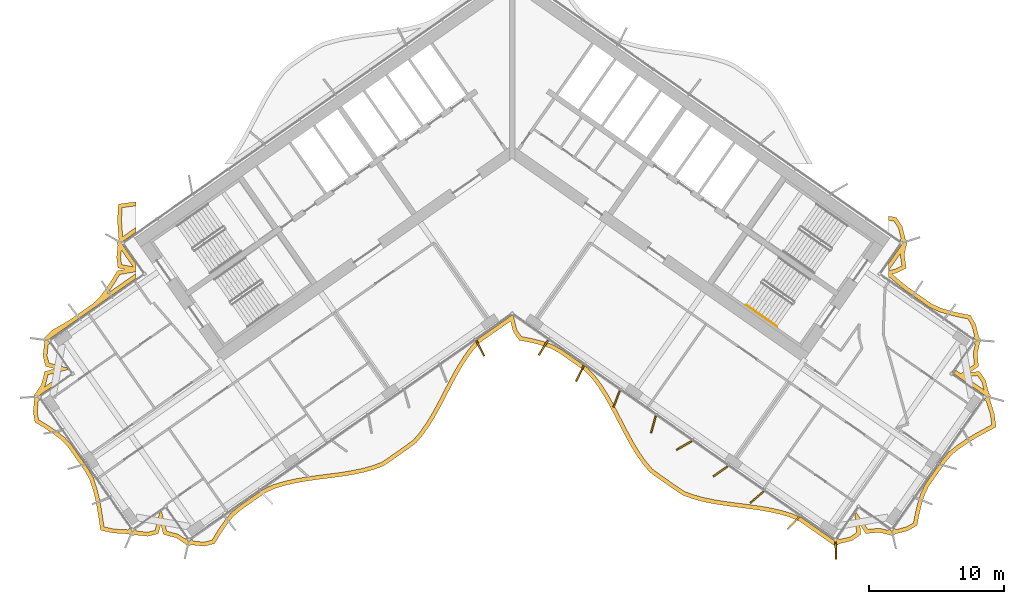
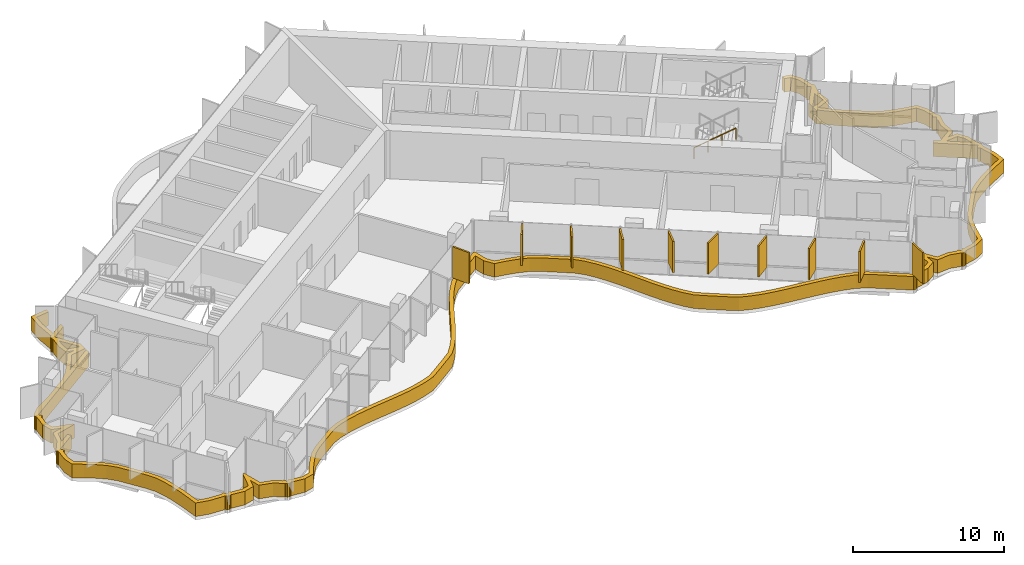
# One storey, part 19 of 21: 11 shading devices, 1 railing.
"""IFC4 building model written with IfcOpenShell, lengths in metres."""

from ifc_helpers import new_model, si_unit, direction, frame, origin, origin_2d, place, context, subcontext, project, spatial, polyline, rectangle, circle, outline, extrude, material, layer, layer_set, type_object, element, save


model = new_model("IFC4")

# Units and contexts
model_context = context("Model", 3, precision=1e-05, world=origin(), true_north=direction((0.0, 1.0)))
body_context = subcontext(model_context, "Body", "Model", "MODEL_VIEW")
ifc_project = project(units=[si_unit("LENGTHUNIT", "METRE"), si_unit("AREAUNIT", "SQUARE_METRE"), si_unit("VOLUMEUNIT", "CUBIC_METRE"), si_unit("PLANEANGLEUNIT", "RADIAN"), si_unit("MASSUNIT", "GRAM", prefix="KILO")], contexts=[model_context])

# Site, building, storey
site_placement = place(None, origin())
site = spatial("IfcSite", under=ifc_project, at=site_placement, CompositionType="ELEMENT")
building_placement = place(site_placement, origin())
building = spatial("IfcBuilding", under=site, at=building_placement, Name="Tel Ilan Convention Tower", CompositionType="ELEMENT")
storey_placement = place(building_placement, frame((0.0, 0.0, 206.10009765625)))
storey = spatial("IfcBuildingStorey", under=building, at=storey_placement, Name="L48", CompositionType="ELEMENT", Elevation=206.10009765625)

# Shading devices
ifc_material_1 = material(Name="Aluminium, bronze anodised", Category="aluminium")
ifc_layer_1 = layer(ifc_material_1, 0.1201171875)
ifc_layer_set_1 = layer_set([ifc_layer_1], Name="FIN BRONZE 1300x120")
shading_device_type_1 = type_object("IfcShadingDeviceType", Name="FIN BRONZE 1300x120", PredefinedType="USERDEFINED", material=ifc_layer_set_1)
for number, where, z_axis, x_axis, name in (
    (1, (-2.36572265625, -15.269775390625, 1.099853515625), (0.0, 0.0, 1.0), (0.448799180206, -0.893632640321, 0.0), "FIN"),
    (2, (2.31396484375, -15.23388671875, 1.099853515625), (0.0, 0.0, 1.0), (-0.533204432798, -0.845986425922, 0.0), "FIN"),
    (3, (5.027587890625, -17.1337890625, 1.099853515625), (0.0, 0.0, 1.0), (-0.448799180206, -0.893632640321, 0.0), "FIN"),
    (4, (7.744140625, -19.02783203125, 1.099853515625), (0.0, 0.0, 1.0), (-0.360177724803, -0.932883704733, 0.0), "FIN"),
    (5, (10.462646484375, -20.916259765625, 1.099853515625), (0.0, 0.0, 1.0), (-0.268172612768, -0.963370878614, 0.0), "FIN"),
    (6, (12.733154296875, -22.4833984375, 1.099853515625), (0.0, 0.0, 1.0), (-0.866025403784, -0.5, 0.0), "FIN"),
    (7, (15.432373046875, -24.39599609375, 1.099853515625), (0.0, 0.0, 1.0), (-0.813552070258, -0.581492071294, 0.0), "FIN"),
    (8, (18.13671875, -26.3046875, 1.099853515625), (0.0, 0.0, 1.0), (-0.753435896329, -0.657521368568, 0.0), "FIN"),
    (9, (20.845703125, -28.20947265625, 1.099853515625), (0.0, 0.0, 1.0), (-0.686241637865, -0.727373641577, 0.0), "FIN"),
    (10, (23.978759765625, -30.251708984375, 1.099853515625), (0.0, 0.0, 1.0), (0.029084718749, -0.999576950082, 0.0), "FIN"),
):
    element("IfcShadingDevice", number, at=place(storey_placement, frame(where, z_axis=z_axis, x_axis=x_axis)), inside=storey, type_object=shading_device_type_1, Name=name, ObjectType="FIN", PredefinedType="USERDEFINED", context=body_context, shape_type="SweptSolid", body=[
        extrude(rectangle(XDim=1.300048828125, YDim=0.1201171875, at=origin_2d()), origin(), (0.0, 0.0, 1.0), 2.52001953125),
    ])
ifc_material_2 = material(Name="Aluminium, bronze anodised", Category="aluminium")
ifc_layer_2 = layer(ifc_material_2, 0.300048828125)
ifc_layer_set_2 = layer_set([ifc_layer_2], Name="LOUVRE BAND 300x1100")
shading_device_type_2 = type_object("IfcShadingDeviceType", Name="LOUVRE BAND 300x1100", PredefinedType="USERDEFINED", material=ifc_layer_set_2)
shading_device_placement = place(storey_placement, origin())
element("IfcShadingDevice", 11, at=shading_device_placement, inside=storey, type_object=shading_device_type_2, Name="LOUVRE BAND 38.01", ObjectType="LOUVRE", PredefinedType="USERDEFINED", context=body_context, shape_type="SweptSolid", body=[
    extrude(outline(polyline([(-35.475341796875, -19.978515625), (-35.341064453125, -20.760498046875), (-34.66357421875, -21.162353515625), (-34.018310546875, -21.58642578125), (-33.419189453125, -22.043212890625), (-32.91015625, -22.562744140625), (-31.67529296875, -24.326416015625), (-31.311279296875, -24.947509765625), (-31.06982421875, -25.65478515625), (-30.877685546875, -26.396240234375), (-30.7255859375, -27.165771484375), (-30.602294921875, -27.95556640625), (-30.489501953125, -28.75244140625), (-29.54248046875, -28.965576171875), (-28.377685546875, -29.026123046875), (-28.3486328125, -29.0693359375), (-28.25146484375, -29.134521484375), (-28.13671875, -29.1572265625), (-28.021728515625, -29.134521484375), (-27.9677734375, -29.098388671875), (-26.975341796875, -29.2080078125), (-26.201416015625, -29.005615234375), (-26.022705078125, -28.324951171875), (-25.82763671875, -29.071533203125), (-24.87646484375, -29.3212890625), (-24.2041015625, -29.76611328125), (-24.199462890625, -29.7626953125), (-24.170654296875, -29.80615234375), (-24.0732421875, -29.87109375), (-23.95849609375, -29.89404296875), (-23.843505859375, -29.87109375), (-23.78955078125, -29.8349609375), (-22.79736328125, -29.94482421875), (-22.0234375, -29.742431640625), (-21.604248046875, -29.03369140625), (-21.15576171875, -28.366455078125), (-20.6708984375, -27.75146484375), (-20.100341796875, -27.2587890625), (-18.257568359375, -25.968505859375), (-17.560791015625, -25.65576171875), (-16.80419921875, -25.428955078125), (-16.01318359375, -25.2509765625), (-15.196044921875, -25.1103515625), (-14.362060546875, -24.994140625), (-12.68359375, -24.7763671875), (-11.859619140625, -24.645751953125), (-11.058837890625, -24.481689453125), (-10.2900390625, -24.272216796875), (-9.559814453125, -24.007568359375), (-8.935546875, -23.591796875), (-7.706787109375, -22.7314453125), (-7.102294921875, -22.287353515625), (-6.603515625, -21.692138671875), (-6.143798828125, -21.041259765625), (-5.7158203125, -20.344970703125), (-5.31103515625, -19.61572265625), (-4.5322265625, -18.11279296875), (-4.1376953125, -17.36865234375), (-3.726318359375, -16.64892578125), (-3.28857421875, -15.96630859375), (-2.81689453125, -15.332763671875), (-2.28515625, -14.784423828125), (-0.12109375, -13.269287109375), (0.067626953125, -14.029296875), (0.522216796875, -14.687255859375), (1.33154296875, -14.8388671875), (2.112060546875, -15.03173828125), (2.855712890625, -15.277099609375), (3.513916015625, -15.644775390625), (5.356689453125, -16.935302734375), (5.888671875, -17.48291015625), (6.36083984375, -18.1162109375), (6.798583984375, -18.798583984375), (7.2099609375, -19.5185546875), (7.6044921875, -20.262451171875), (8.38330078125, -21.765380859375), (8.7880859375, -22.494873046875), (9.2158203125, -23.191162109375), (9.675537109375, -23.84228515625), (10.174072265625, -24.437744140625), (10.778564453125, -24.882080078125), (12.007080078125, -25.742431640625), (12.631103515625, -26.15869140625), (13.361083984375, -26.423828125), (14.1298828125, -26.63330078125), (14.930419921875, -26.79736328125), (15.75439453125, -26.92822265625), (17.432861328125, -27.14599609375), (18.26708984375, -27.26220703125), (19.084228515625, -27.402587890625), (19.875244140625, -27.580322265625), (20.632080078125, -27.80712890625), (21.3291015625, -28.119140625), (23.786376953125, -29.83984375), (23.78955078125, -29.8349609375), (23.843505859375, -29.87109375), (23.95849609375, -29.89404296875), (24.0732421875, -29.87109375), (24.170654296875, -29.80615234375), (24.199462890625, -29.7626953125), (25.16943359375, -29.5263671875), (25.82763671875, -29.071533203125), (25.7626953125, -28.370849609375), (26.201416015625, -29.005615234375), (27.1806640625, -28.9150390625), (27.964599609375, -29.10302734375), (27.9677734375, -29.098388671875), (28.021728515625, -29.134521484375), (28.13671875, -29.1572265625), (28.25146484375, -29.134521484375), (28.3486328125, -29.0693359375), (28.377685546875, -29.026123046875), (29.301025390625, -28.79638671875), (29.989990234375, -28.40283203125), (30.135498046875, -27.628662109375), (30.3134765625, -26.877197265625), (30.537841796875, -26.158203125), (30.85205078125, -25.502197265625), (32.0869140625, -23.738525390625), (32.546142578125, -23.18408203125), (33.1279296875, -22.71533203125), (33.759033203125, -22.28125), (34.43017578125, -21.875), (35.13037109375, -21.489013671875), (35.840576171875, -21.1103515625), (35.717041015625, -20.147705078125), (35.375244140625, -19.032470703125), (35.411376953125, -18.978515625), (35.434326171875, -18.863525390625), (35.411376953125, -18.748779296875), (35.346435546875, -18.6513671875), (35.302978515625, -18.62255859375), (35.066650390625, -17.652587890625), (34.61181640625, -16.994384765625), (33.9111328125, -17.059326171875), (34.5458984375, -16.62060546875), (34.455322265625, -15.641357421875), (34.643310546875, -14.857421875), (34.638671875, -14.854248046875), (34.674560546875, -14.80029296875), (34.697509765625, -14.685546875), (34.674560546875, -14.570556640625), (34.609619140625, -14.473388671875), (34.56640625, -14.4443359375), (34.3369140625, -13.5224609375), (33.945068359375, -12.832763671875), (33.172119140625, -12.68701171875), (32.421630859375, -12.509521484375), (31.703369140625, -12.285888671875), (31.047119140625, -11.973388671875), (29.2861328125, -10.740234375), (28.730712890625, -10.28369140625), (28.18212890625, -9.817626953125), (28.123291015625, -9.789794921875), (28.491455078125, -9.6953125), (29.19384765625, -9.332763671875), (29.044921875, -8.373779296875), (29.20458984375, -7.631103515625), (29.199951171875, -7.6279296875), (29.236083984375, -7.57373046875), (29.2587890625, -7.458984375), (29.236083984375, -7.34423828125), (29.1708984375, -7.246826171875), (29.127685546875, -7.218017578125), (28.894287109375, -6.267333984375), (28.465576171875, -5.595458984375), (27.874755859375, -5.485595703125), (27.874755859375, -5.790771484375), (28.28271484375, -5.86669921875), (28.614990234375, -6.387451171875), (28.806640625, -7.1533203125), (28.713134765625, -7.286865234375), (28.958740234375, -7.458984375), (27.874755859375, -9.007080078125), (27.874755859375, -9.530029296875), (28.76171875, -8.263671875), (28.73974609375, -8.364990234375), (28.8642578125, -9.165283203125), (28.3837890625, -9.413330078125), (27.874755859375, -9.5439453125), (27.874755859375, -10.004150390625), (28.01806640625, -10.072021484375), (28.538330078125, -10.513916015625), (29.1044921875, -10.979248046875), (30.895751953125, -12.2333984375), (31.593505859375, -12.56591796875), (32.34228515625, -12.799072265625), (33.10986328125, -12.980712890625), (33.7529296875, -13.101806640625), (34.05615234375, -13.635498046875), (34.244873046875, -14.380126953125), (34.15185546875, -14.513427734375), (34.3974609375, -14.685546875), (34.22607421875, -14.931640625), (34.303955078125, -14.986083984375), (34.15185546875, -15.61962890625), (34.23095703125, -16.473388671875), (33.23095703125, -17.164794921875), (32.848876953125, -16.897216796875), (32.6767578125, -17.142822265625), (35.13427734375, -18.863525390625), (34.962158203125, -19.109375), (35.123046875, -19.221923828125), (35.422607421875, -20.210693359375), (35.5166015625, -20.943115234375), (34.280029296875, -21.615234375), (33.59619140625, -22.029052734375), (32.94873046875, -22.474609375), (32.33447265625, -22.96923828125), (31.84814453125, -23.556640625), (30.59228515625, -25.350341796875), (30.258056640625, -26.04833984375), (30.024169921875, -26.7978515625), (29.842041015625, -27.56640625), (29.720703125, -28.211181640625), (29.187744140625, -28.515625), (28.44189453125, -28.704833984375), (28.30859375, -28.611572265625), (28.13671875, -28.857177734375), (27.890380859375, -28.685791015625), (27.8359375, -28.763671875), (27.202392578125, -28.61181640625), (26.3486328125, -28.690673828125), (25.475341796875, -27.427490234375), (25.385986328125, -27.555419921875), (25.5126953125, -28.924560546875), (25.044189453125, -29.24853515625), (24.264404296875, -29.44189453125), (24.13037109375, -29.34814453125), (23.95849609375, -29.593994140625), (21.477783203125, -27.85693359375), (20.73681640625, -27.525390625), (19.951416015625, -27.2900390625), (19.142578125, -27.108154296875), (18.313232421875, -26.9658203125), (17.472412109375, -26.8486328125), (15.797607421875, -26.63134765625), (14.984130859375, -26.502197265625), (14.199462890625, -26.34130859375), (13.451904296875, -26.137451171875), (12.767578125, -25.88916015625), (12.176513671875, -25.494873046875), (10.953369140625, -24.638427734375), (10.380859375, -24.217529296875), (9.91357421875, -23.6591796875), (9.466552734375, -23.02587890625), (9.047119140625, -22.343505859375), (8.6474609375, -21.623291015625), (7.870361328125, -20.123779296875), (7.472900390625, -19.373779296875), (7.05517578125, -18.64306640625), (6.607666015625, -17.945556640625), (6.11767578125, -17.2880859375), (5.55224609375, -16.705810546875), (3.67333984375, -15.390380859375), (2.97705078125, -15.001220703125), (2.195068359375, -14.743408203125), (1.395263671875, -14.54541015625), (0.69873046875, -14.4150390625), (0.345458984375, -13.90380859375), (0.092041015625, -12.882568359375), (0.0, -12.818115234375), (-2.480712890625, -14.55517578125), (-3.045654296875, -15.137939453125), (-3.53564453125, -15.795654296875), (-3.98291015625, -16.493408203125), (-4.400634765625, -17.22412109375), (-4.798095703125, -17.973876953125), (-5.5751953125, -19.473388671875), (-5.974853515625, -20.193603515625), (-6.394287109375, -20.8759765625), (-6.841552734375, -21.5087890625), (-7.30908203125, -22.067138671875), (-7.881591796875, -22.487548828125), (-9.104736328125, -23.343994140625), (-9.696044921875, -23.73779296875), (-10.380615234375, -23.986083984375), (-11.12841796875, -24.189697265625), (-11.913330078125, -24.350341796875), (-12.726806640625, -24.4794921875), (-14.401611328125, -24.69677734375), (-15.2421875, -24.81396484375), (-16.07177734375, -24.95654296875), (-16.88037109375, -25.138427734375), (-17.665771484375, -25.3740234375), (-18.40625, -25.706298828125), (-20.284912109375, -27.021728515625), (-20.888671875, -27.543212890625), (-21.3984375, -28.189697265625), (-21.85791015625, -28.87353515625), (-22.21875, -29.4833984375), (-22.820068359375, -29.640625), (-23.618896484375, -29.555908203125), (-23.712158203125, -29.422607421875), (-23.95849609375, -29.593994140625), (-24.13037109375, -29.34814453125), (-24.208984375, -29.403076171875), (-24.75244140625, -29.043701171875), (-25.581787109375, -28.825927734375), (-25.97021484375, -27.34033203125), (-26.097900390625, -27.4296875), (-26.447021484375, -28.759765625), (-26.998291015625, -28.904052734375), (-27.797119140625, -28.819091796875), (-27.890380859375, -28.685791015625), (-28.13671875, -28.857177734375), (-28.30859375, -28.611572265625), (-28.469482421875, -28.72412109375), (-29.501220703125, -28.66748046875), (-30.221435546875, -28.50537109375), (-30.429931640625, -27.113525390625), (-30.585205078125, -26.329345703125), (-30.7822265625, -25.568359375), (-31.037109375, -24.822021484375), (-31.422607421875, -24.164306640625), (-32.6787109375, -22.37060546875), (-33.22021484375, -21.81787109375), (-33.8447265625, -21.341552734375), (-34.50439453125, -20.90771484375), (-35.06884765625, -20.5732421875), (-35.1728515625, -19.968017578125), (-35.09521484375, -19.20263671875), (-34.962158203125, -19.109375), (-35.13427734375, -18.863525390625), (-33.700927734375, -17.860107421875), (-33.873046875, -17.6142578125), (-34.63623046875, -18.148681640625), (-34.583984375, -18.069580078125), (-34.3662109375, -17.240234375), (-32.880615234375, -16.851806640625), (-32.969970703125, -16.72412109375), (-34.300048828125, -16.375), (-34.444091796875, -15.82373046875), (-34.359375, -15.02490234375), (-34.22607421875, -14.931640625), (-34.3974609375, -14.685546875), (-27.874755859375, -10.1181640625), (-27.874755859375, -9.751953125), (-29.960693359375, -11.21240234375), (-29.828369140625, -11.038818359375), (-29.395263671875, -10.379638671875), (-29.0615234375, -9.81689453125), (-27.874755859375, -9.615966796875), (-27.874755859375, -9.007080078125), (-28.958740234375, -7.458984375), (-27.874755859375, -6.699951171875), (-27.874755859375, -6.333740234375), (-28.84423828125, -7.0126953125), (-28.93115234375, -5.783447265625), (-28.876953125, -4.86572265625), (-27.874755859375, -4.735107421875), (-27.874755859375, -4.4326171875), (-29.161865234375, -4.60107421875), (-29.231689453125, -5.78515625), (-29.127685546875, -7.218017578125), (-29.1708984375, -7.246826171875), (-29.236083984375, -7.34423828125), (-29.2587890625, -7.458984375), (-29.236083984375, -7.57373046875), (-29.199951171875, -7.6279296875), (-29.29443359375, -8.548583984375), (-29.19384765625, -9.332763671875), (-28.642333984375, -9.441650390625), (-29.24853515625, -9.544189453125), (-29.649658203125, -10.220703125), (-30.0732421875, -10.865234375), (-30.529296875, -11.463623046875), (-31.047119140625, -11.973388671875), (-32.808349609375, -13.20654296875), (-33.42724609375, -13.572265625), (-34.052734375, -13.928466796875), (-34.569580078125, -14.439697265625), (-34.56640625, -14.4443359375), (-34.609619140625, -14.473388671875), (-34.674560546875, -14.570556640625), (-34.697509765625, -14.685546875), (-34.674560546875, -14.80029296875), (-34.638671875, -14.854248046875), (-34.748291015625, -15.8466796875), (-34.5458984375, -16.62060546875), (-33.865234375, -16.79931640625), (-34.61181640625, -16.994384765625), (-34.861572265625, -17.945556640625), (-35.306396484375, -18.617919921875), (-35.302978515625, -18.62255859375), (-35.346435546875, -18.6513671875), (-35.411376953125, -18.748779296875), (-35.434326171875, -18.863525390625), (-35.411376953125, -18.978515625), (-35.375244140625, -19.032470703125), (-35.475341796875, -19.978515625)]), holes=[polyline([(34.46484375, -17.309326171875), (34.788818359375, -17.77783203125), (34.93212890625, -18.35595703125), (33.5576171875, -17.393310546875), (34.46484375, -17.309326171875)]), polyline([(-28.992431640625, -8.5439453125), (-28.940185546875, -8.0087890625), (-28.072265625, -9.248291015625), (-28.923828125, -9.080322265625), (-28.992431640625, -8.5439453125)])]), origin(), (0.0, 0.0, 1.0), 1.099853515625),
])

# Railing
ifc_material_3 = material(Name="Stainless Steel Grade 316", Category="steel")
railing_type = type_object("IfcRailingType", Name="Stainless Steel Stair Handrail 900 mm", PredefinedType="HANDRAIL", material=ifc_material_3)
railing_placement = place(storey_placement, frame((17.312744140625, -12.0615234375, 2.127197265625)))
element("IfcRailing", 12, at=railing_placement, inside=storey, type_object=railing_type, Name="L48 S4 stair handrail 2", PredefinedType="HANDRAIL", context=body_context, shape_type="SweptSolid", body=[
    extrude(circle(Radius=0.02392578125, at=origin_2d()), frame((0.0, 0.0, 0.8759765625), z_axis=(0.692123088272, -0.484596665743, 0.534912798717), x_axis=(0.573550118428, 0.819170471667, 0.0)), (0.0, 0.0, 1.0), 3.31396484375),
    extrude(circle(Radius=0.02099609375, at=origin_2d()), origin(), (0.0, 0.0, 1.0), 0.851806640625),
    extrude(circle(Radius=0.02099609375, at=origin_2d()), frame((0.7646484375, -0.535400390625, 0.5908203125)), (0.0, 0.0, 1.0), 0.851806640625),
    extrude(circle(Radius=0.02099609375, at=origin_2d()), frame((1.529052734375, -1.070556640625, 1.181884765625)), (0.0, 0.0, 1.0), 0.851806640625),
    extrude(circle(Radius=0.02099609375, at=origin_2d()), frame((2.293701171875, -1.60595703125, 1.772705078125)), (0.0, 0.0, 1.0), 0.851806640625),
])

save(model, "model.ifc")
